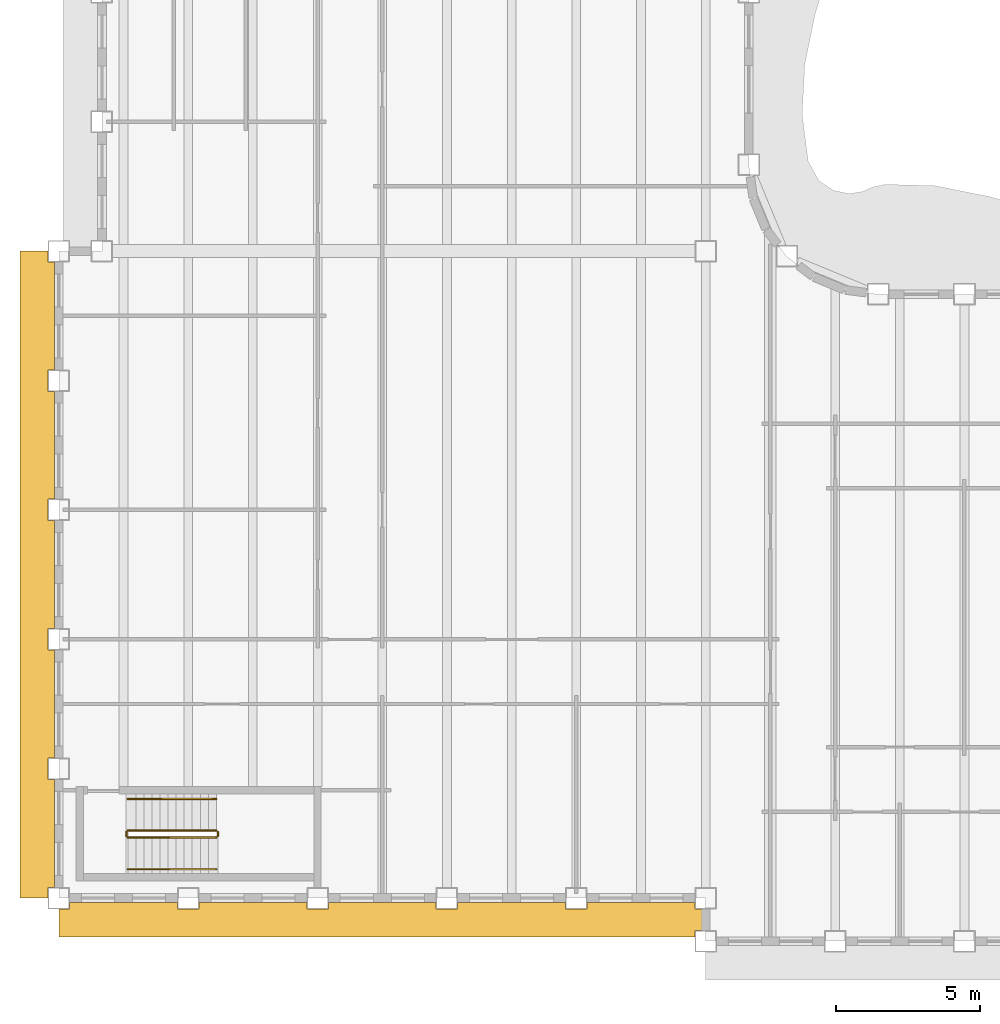
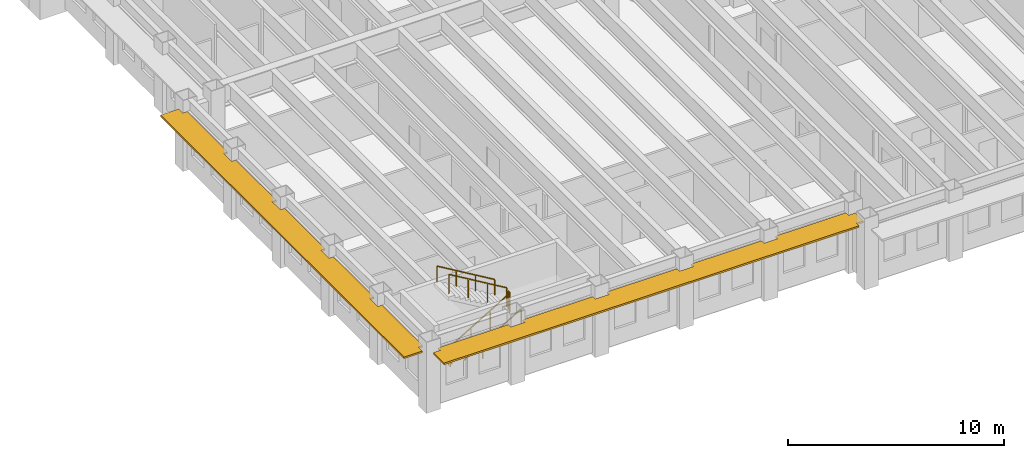
# One storey, part 12 of 17: 6 railings, 2 shading devices.
"""IFC4 building model written with IfcOpenShell, lengths in metres."""

from ifc_helpers import new_model, si_unit, direction, frame, origin, origin_2d, place, context, subcontext, project, spatial, polyline, rectangle, outline, extrude, material, layer, layer_set, type_object, element, save


model = new_model("IFC4")

# Units and contexts
model_context = context("Model", 3, precision=1e-05, world=origin(), true_north=direction((0.0, 1.0)))
body_context = subcontext(model_context, "Body", "Model", "MODEL_VIEW")
ifc_project = project(units=[si_unit("LENGTHUNIT", "METRE"), si_unit("AREAUNIT", "SQUARE_METRE"), si_unit("VOLUMEUNIT", "CUBIC_METRE"), si_unit("PLANEANGLEUNIT", "RADIAN"), si_unit("MASSUNIT", "GRAM", prefix="KILO")], contexts=[model_context])

# Site, building, storey
site_placement = place(None, origin())
site = spatial("IfcSite", under=ifc_project, at=site_placement, CompositionType="ELEMENT")
building_placement = place(site_placement, origin())
building = spatial("IfcBuilding", under=site, at=building_placement, Name="Sennacour Bend Tower", CompositionType="ELEMENT")
storey_placement = place(building_placement, frame((0.0, 0.0, 219.0)))
storey = spatial("IfcBuildingStorey", under=building, at=storey_placement, Name="L50", CompositionType="ELEMENT", Elevation=219.0)

# Railings
ifc_material_1 = material(Name="Stainless steel", Category="steel")
railing_type_1 = type_object("IfcRailingType", Name="RL-GUARD-1100", PredefinedType="GUARDRAIL", material=ifc_material_1)
railing_1_placement = place(storey_placement, frame((2.39990234375, 2.10009765625, 0.166748046875)))
element("IfcRailing", 1, at=railing_1_placement, inside=storey, type_object=railing_type_1, Name="L50 SK1 stair guard 1", PredefinedType="GUARDRAIL", context=body_context, shape_type="SweptSolid", body=[
    extrude(rectangle(XDim=0.048095703125, YDim=0.048095703125, at=origin_2d()), frame((0.0, 0.0, 1.076171875), z_axis=(0.859308565015, 0.0, 0.511457515432), x_axis=(0.0, 1.0, 0.0)), (0.0, 0.0, 1.0), 3.58447265625),
    extrude(rectangle(XDim=0.0419921875, YDim=0.0419921875, at=origin_2d()), origin(), (0.0, 0.0, 1.0), 1.052001953125),
    extrude(rectangle(XDim=0.0419921875, YDim=0.0419921875, at=origin_2d()), frame((1.026611328125, 0.0, 0.611083984375)), (0.0, 0.0, 1.0), 1.052001953125),
    extrude(rectangle(XDim=0.0419921875, YDim=0.0419921875, at=origin_2d()), frame((2.053466796875, 0.0, 1.22216796875)), (0.0, 0.0, 1.0), 1.052001953125),
    extrude(rectangle(XDim=0.0419921875, YDim=0.0419921875, at=origin_2d()), frame((3.080078125, 0.0, 1.833251953125)), (0.0, 0.0, 1.0), 1.052001953125),
])
railing_2_placement = place(storey_placement, frame((5.530029296875, 2.14990234375, 2.0)))
element("IfcRailing", 2, at=railing_2_placement, inside=storey, type_object=railing_type_1, Name="L50 SK1 stair guard 2", PredefinedType="GUARDRAIL", context=body_context, shape_type="SweptSolid", body=[
    extrude(rectangle(XDim=0.048095703125, YDim=0.048095703125, at=origin_2d()), frame((0.0, 0.0, 1.076171875), z_axis=(0.0, 1.0, 0.0), x_axis=(-1.0, 0.0, 0.0)), (0.0, 0.0, 1.0), 0.150146484375),
    extrude(rectangle(XDim=0.0419921875, YDim=0.0419921875, at=origin_2d()), origin(), (0.0, 0.0, 1.0), 1.052001953125),
    extrude(rectangle(XDim=0.0419921875, YDim=0.0419921875, at=origin_2d()), frame((0.0, 0.150146484375, 0.0)), (0.0, 0.0, 1.0), 1.052001953125),
])
railing_3_placement = place(storey_placement, frame((5.47998046875, 2.35009765625, 2.166748046875)))
element("IfcRailing", 3, at=railing_3_placement, inside=storey, type_object=railing_type_1, Name="L50 SK1 stair guard 3", PredefinedType="GUARDRAIL", context=body_context, shape_type="SweptSolid", body=[
    extrude(rectangle(XDim=0.048095703125, YDim=0.048095703125, at=origin_2d()), frame((0.0, 0.0, 1.076171875), z_axis=(-0.859308565015, 0.0, 0.511457515432), x_axis=(0.0, -1.0, 0.0)), (0.0, 0.0, 1.0), 3.58447265625),
    extrude(rectangle(XDim=0.0419921875, YDim=0.0419921875, at=origin_2d()), origin(), (0.0, 0.0, 1.0), 1.052001953125),
    extrude(rectangle(XDim=0.0419921875, YDim=0.0419921875, at=origin_2d()), frame((-1.026611328125, 0.0, 0.611083984375)), (0.0, 0.0, 1.0), 1.052001953125),
    extrude(rectangle(XDim=0.0419921875, YDim=0.0419921875, at=origin_2d()), frame((-2.053466796875, 0.0, 1.22216796875)), (0.0, 0.0, 1.0), 1.052001953125),
    extrude(rectangle(XDim=0.0419921875, YDim=0.0419921875, at=origin_2d()), frame((-3.080078125, 0.0, 1.833251953125)), (0.0, 0.0, 1.0), 1.052001953125),
])
railing_4_placement = place(storey_placement, frame((2.35009765625, 2.14990234375, 0.0)))
element("IfcRailing", 4, at=railing_4_placement, inside=storey, type_object=railing_type_1, Name="L50 SK1 stair guard 4", PredefinedType="GUARDRAIL", context=body_context, shape_type="SweptSolid", body=[
    extrude(rectangle(XDim=0.048095703125, YDim=0.048095703125, at=origin_2d()), frame((0.0, 0.0, 1.076171875), z_axis=(0.0, 1.0, 0.0), x_axis=(-1.0, 0.0, 0.0)), (0.0, 0.0, 1.0), 0.150146484375),
    extrude(rectangle(XDim=0.0419921875, YDim=0.0419921875, at=origin_2d()), origin(), (0.0, 0.0, 1.0), 1.052001953125),
    extrude(rectangle(XDim=0.0419921875, YDim=0.0419921875, at=origin_2d()), frame((0.0, 0.150146484375, 0.0)), (0.0, 0.0, 1.0), 1.052001953125),
])
railing_type_2 = type_object("IfcRailingType", Name="RL-HANDRAIL-900", PredefinedType="HANDRAIL", material=ifc_material_1)
railing_5_placement = place(storey_placement, frame((2.39990234375, 1.0, 0.166748046875)))
element("IfcRailing", 5, at=railing_5_placement, inside=storey, type_object=railing_type_2, Name="L50 SK1 stair handrail 1", PredefinedType="HANDRAIL", context=body_context, shape_type="SweptSolid", body=[
    extrude(rectangle(XDim=0.048095703125, YDim=0.048095703125, at=origin_2d()), frame((0.0, 0.0, 0.8759765625), z_axis=(0.859308565015, 0.0, 0.511457515432), x_axis=(0.0, 1.0, 0.0)), (0.0, 0.0, 1.0), 3.58447265625),
    extrude(rectangle(XDim=0.0419921875, YDim=0.0419921875, at=origin_2d()), origin(), (0.0, 0.0, 1.0), 0.851806640625),
    extrude(rectangle(XDim=0.0419921875, YDim=0.0419921875, at=origin_2d()), frame((1.026611328125, 0.0, 0.611083984375)), (0.0, 0.0, 1.0), 0.851806640625),
    extrude(rectangle(XDim=0.0419921875, YDim=0.0419921875, at=origin_2d()), frame((2.053466796875, 0.0, 1.22216796875)), (0.0, 0.0, 1.0), 0.851806640625),
    extrude(rectangle(XDim=0.0419921875, YDim=0.0419921875, at=origin_2d()), frame((3.080078125, 0.0, 1.833251953125)), (0.0, 0.0, 1.0), 0.851806640625),
])
railing_6_placement = place(storey_placement, frame((5.47998046875, 3.449951171875, 2.166748046875)))
element("IfcRailing", 6, at=railing_6_placement, inside=storey, type_object=railing_type_2, Name="L50 SK1 stair handrail 2", PredefinedType="HANDRAIL", context=body_context, shape_type="SweptSolid", body=[
    extrude(rectangle(XDim=0.048095703125, YDim=0.048095703125, at=origin_2d()), frame((0.0, 0.0, 0.8759765625), z_axis=(-0.859308565015, 0.0, 0.511457515432), x_axis=(0.0, -1.0, 0.0)), (0.0, 0.0, 1.0), 3.58447265625),
    extrude(rectangle(XDim=0.0419921875, YDim=0.0419921875, at=origin_2d()), origin(), (0.0, 0.0, 1.0), 0.851806640625),
    extrude(rectangle(XDim=0.0419921875, YDim=0.0419921875, at=origin_2d()), frame((-1.026611328125, 0.0, 0.611083984375)), (0.0, 0.0, 1.0), 0.851806640625),
    extrude(rectangle(XDim=0.0419921875, YDim=0.0419921875, at=origin_2d()), frame((-2.053466796875, 0.0, 1.22216796875)), (0.0, 0.0, 1.0), 0.851806640625),
    extrude(rectangle(XDim=0.0419921875, YDim=0.0419921875, at=origin_2d()), frame((-3.080078125, 0.0, 1.833251953125)), (0.0, 0.0, 1.0), 0.851806640625),
])

# Shading devices
ifc_material_2 = material(Name="Bronze anodised aluminium", Category="aluminium")
ifc_layer = layer(ifc_material_2, 0.10009765625, Name="Bronze anodised aluminium", Category="aluminium")
ifc_layer_set = layer_set([ifc_layer], Name="Bronze anodised aluminium")
shading_device_type = type_object("IfcShadingDeviceType", Name="SUNSHADE BAND STRAIGHT", PredefinedType="USERDEFINED", material=ifc_layer_set)
shading_device_1_placement = place(storey_placement, frame((0.0, 0.0, 3.056884765625)))
element("IfcShadingDevice", 7, at=shading_device_1_placement, inside=storey, type_object=shading_device_type, Name="Sunshade band L50 K outer face", ObjectType="SUNSHADE", PredefinedType="USERDEFINED", context=body_context, shape_type="SweptSolid", body=[
    extrude(outline(polyline([(-0.14990234375, 18.375), (-0.375, 18.375), (-0.375, 17.625), (-0.14990234375, 17.625), (-0.14990234375, 13.875), (-0.375, 13.875), (-0.375, 13.125), (-0.14990234375, 13.125), (-0.14990234375, 9.375), (-0.375, 9.375), (-0.375, 8.625), (-0.14990234375, 8.625), (-0.14990234375, 4.875), (-0.375, 4.875), (-0.375, 4.125), (-0.14990234375, 4.125), (-0.14990234375, 0.375), (-0.375, 0.375), (-0.375, 0.0), (-1.35009765625, 0.0), (-1.35009765625, 22.5), (-0.375, 22.5), (-0.375, 22.125), (-0.14990234375, 22.125), (-0.14990234375, 18.375)])), origin(), (0.0, 0.0, 1.0), 0.10009765625),
])
shading_device_2_placement = place(storey_placement, frame((0.0, 0.0, 3.056884765625)))
element("IfcShadingDevice", 8, at=shading_device_2_placement, inside=storey, type_object=shading_device_type, Name="Sunshade band L50 K outer face", ObjectType="SUNSHADE", PredefinedType="USERDEFINED", context=body_context, shape_type="SweptSolid", body=[
    extrude(outline(polyline([(4.125, -0.14990234375), (4.125, -0.375), (4.875, -0.375), (4.875, -0.14990234375), (8.625, -0.14990234375), (8.625, -0.375), (9.375, -0.375), (9.375, -0.14990234375), (13.125, -0.14990234375), (13.125, -0.375), (13.875, -0.375), (13.875, -0.14990234375), (17.625, -0.14990234375), (17.625, -0.375), (18.375, -0.375), (18.375, -0.14990234375), (22.125, -0.14990234375), (22.125, -0.375), (22.5, -0.375), (22.5, -1.125), (22.125, -1.125), (22.125, -1.35009765625), (0.0, -1.35009765625), (0.0, -0.375), (0.375, -0.375), (0.375, -0.14990234375), (4.125, -0.14990234375)])), origin(), (0.0, 0.0, 1.0), 0.10009765625),
])

save(model, "model.ifc")
